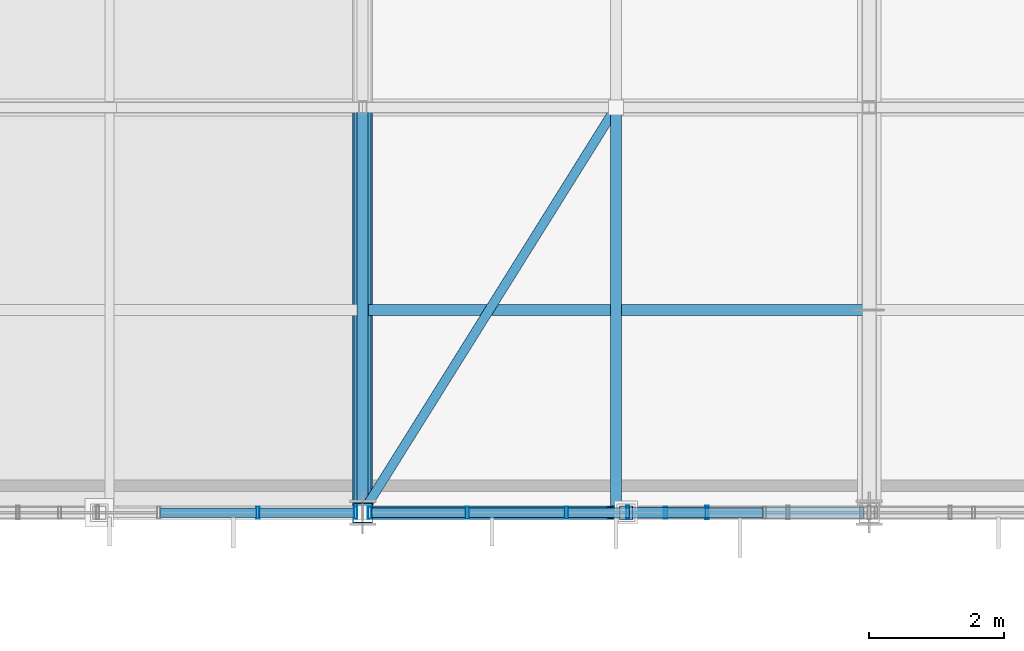
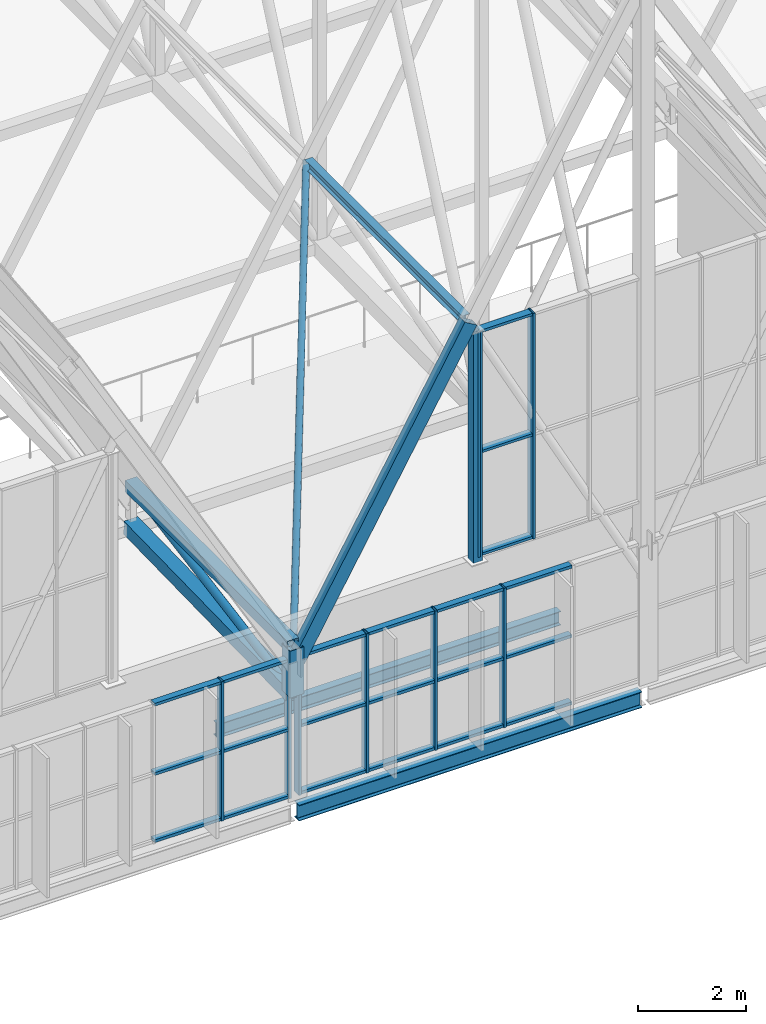
# One storey, part 131 of 324: 36 members, 3 beams, 3 elements without a shape of their own.
"""IFC4 building model written with IfcOpenShell, lengths in metres."""

from ifc_helpers import new_model, si_unit, direction, frame, origin, origin_2d, place, context, subcontext, project, spatial, hollow_rectangle, hollow_circle, i_section, extrude, material, layer, layer_set, material_profile, profile_set, type_object, element, aggregate, save


model = new_model("IFC4")

# Units and contexts
model_context = context("Model", 3, precision=1e-05, world=origin(), true_north=direction((0.0, 1.0)))
body_context = subcontext(model_context, "Body", "Model", "MODEL_VIEW")
ifc_project = project(units=[si_unit("LENGTHUNIT", "METRE"), si_unit("AREAUNIT", "SQUARE_METRE"), si_unit("VOLUMEUNIT", "CUBIC_METRE"), si_unit("PLANEANGLEUNIT", "RADIAN"), si_unit("MASSUNIT", "GRAM", prefix="KILO")], contexts=[model_context])

# Site, building, storey
site_placement = place(None, origin())
site = spatial("IfcSite", under=ifc_project, at=site_placement, CompositionType="ELEMENT")
building_placement = place(site_placement, origin())
building = spatial("IfcBuilding", under=site, at=building_placement, Name="Solvenia Promenade Tram Depot", CompositionType="ELEMENT")
storey_placement = place(building_placement, frame((0.0, 0.0, 4.5)))
storey = spatial("IfcBuildingStorey", under=building, at=storey_placement, Name="L01", CompositionType="ELEMENT", Elevation=4.5)

# Curtain wall, members
ifc_material_1 = material(Name="Anodized aluminium AW-6063 T6", Category="aluminium")
ifc_layer_1 = layer(ifc_material_1, 0.159912109375, Name="Anodized aluminium AW-6063 T6", Category="aluminium")
ifc_layer_set_1 = layer_set([ifc_layer_1], Name="Anodized aluminium AW-6063 T6")
curtain_wall_type_1 = type_object("IfcCurtainWallType", Name="CW-Channel-1500", PredefinedType="NOTDEFINED", material=ifc_layer_set_1)
curtain_wall_1_placement = place(storey_placement, origin())
curtain_wall_1 = element("IfcCurtainWall", 1, at=curtain_wall_1_placement, inside=storey, type_object=curtain_wall_type_1, Name="Curtain Wall CW-V1S1-06", PredefinedType="NOTDEFINED")
ifc_material_profile_1 = material_profile(ifc_material_1, hollow_rectangle(XDim=0.179931640625, YDim=0.050048828125, WallThickness=0.00390625, at=origin_2d()), Name="ALU-M2", Category="aluminium")
ifc_profile_set_1 = profile_set([ifc_material_profile_1], Name="Anodized aluminium AW-6063 T6")
member_type_1 = type_object("IfcMemberType", Name="CWM-Mullion-2", PredefinedType="MULLION", material=ifc_profile_set_1)
member_1_placement = place(storey_placement, frame((88.451904296875, 66.0, 0.0), z_axis=(0.0, 0.0, 1.0), x_axis=(0.0, 1.0, 0.0)))
member_1 = element("IfcMember", 2, at=member_1_placement, type_object=member_type_1, Name="CW-2 mullion 5", PredefinedType="MULLION", context=body_context, shape_type="SweptSolid", body=[
    extrude(hollow_rectangle(XDim=0.179931640625, YDim=0.050048828125, WallThickness=0.00390625, at=origin_2d()), origin(), (0.0, 0.0, 1.0), 3.14990234375),
])
member_2_placement = place(storey_placement, frame((89.89501953125, 66.0, 0.0), z_axis=(0.0, 0.0, 1.0), x_axis=(0.0, 1.0, 0.0)))
member_2 = element("IfcMember", 3, at=member_2_placement, type_object=member_type_1, Name="CW-2 mullion 6", PredefinedType="MULLION", context=body_context, shape_type="SweptSolid", body=[
    extrude(hollow_rectangle(XDim=0.179931640625, YDim=0.050048828125, WallThickness=0.00390625, at=origin_2d()), origin(), (0.0, 0.0, 1.0), 3.14990234375),
])

curtain_wall_2_placement = place(storey_placement, origin())
curtain_wall_2 = element("IfcCurtainWall", 4, at=curtain_wall_2_placement, inside=storey, type_object=curtain_wall_type_1, Name="Curtain Wall CW-V1S1-07", PredefinedType="NOTDEFINED")
member_3_placement = place(storey_placement, frame((90.10498046875, 66.0, 0.0), z_axis=(0.0, 0.0, 1.0), x_axis=(0.0, 1.0, 0.0)))
member_3 = element("IfcMember", 5, at=member_3_placement, type_object=member_type_1, Name="CW-2 mullion 1", PredefinedType="MULLION", context=body_context, shape_type="SweptSolid", body=[
    extrude(hollow_rectangle(XDim=0.179931640625, YDim=0.050048828125, WallThickness=0.00390625, at=origin_2d()), origin(), (0.0, 0.0, 1.0), 3.14990234375),
])
member_4_placement = place(storey_placement, frame((91.548095703125, 66.0, 0.0), z_axis=(0.0, 0.0, 1.0), x_axis=(0.0, 1.0, 0.0)))
member_4 = element("IfcMember", 6, at=member_4_placement, type_object=member_type_1, Name="CW-2 mullion 2", PredefinedType="MULLION", context=body_context, shape_type="SweptSolid", body=[
    extrude(hollow_rectangle(XDim=0.179931640625, YDim=0.050048828125, WallThickness=0.00390625, at=origin_2d()), origin(), (0.0, 0.0, 1.0), 3.14990234375),
])
member_5_placement = place(storey_placement, frame((93.01611328125, 66.0, 0.0), z_axis=(0.0, 0.0, 1.0), x_axis=(0.0, 1.0, 0.0)))
member_5 = element("IfcMember", 7, at=member_5_placement, type_object=member_type_1, Name="CW-2 mullion 3", PredefinedType="MULLION", context=body_context, shape_type="SweptSolid", body=[
    extrude(hollow_rectangle(XDim=0.179931640625, YDim=0.050048828125, WallThickness=0.00390625, at=origin_2d()), origin(), (0.0, 0.0, 1.0), 3.14990234375),
])
member_6_placement = place(storey_placement, frame((94.48388671875, 66.0, 0.0), z_axis=(0.0, 0.0, 1.0), x_axis=(0.0, 1.0, 0.0)))
member_6 = element("IfcMember", 8, at=member_6_placement, type_object=member_type_1, Name="CW-2 mullion 4", PredefinedType="MULLION", context=body_context, shape_type="SweptSolid", body=[
    extrude(hollow_rectangle(XDim=0.179931640625, YDim=0.050048828125, WallThickness=0.00390625, at=origin_2d()), origin(), (0.0, 0.0, 1.0), 3.14990234375),
])

ifc_layer_2 = layer(ifc_material_1, 0.14990234375, Name="Anodized aluminium AW-6063 T6", Category="aluminium")
ifc_layer_set_2 = layer_set([ifc_layer_2], Name="Anodized aluminium AW-6063 T6")
curtain_wall_type_2 = type_object("IfcCurtainWallType", Name="CW-Gable-1200", PredefinedType="NOTDEFINED", material=ifc_layer_set_2)
curtain_wall_3_placement = place(storey_placement, origin())
curtain_wall_3 = element("IfcCurtainWall", 9, at=curtain_wall_3_placement, inside=storey, type_object=curtain_wall_type_2, Name="South Zigzag Gable 07 Peak Glazing", PredefinedType="NOTDEFINED")
ifc_material_profile_2 = material_profile(ifc_material_1, hollow_rectangle(XDim=0.199951171875, YDim=0.048095703125, WallThickness=0.00390625, at=origin_2d()), Name="ALU-M3", Category="aluminium")
ifc_profile_set_2 = profile_set([ifc_material_profile_2], Name="Anodized aluminium AW-6063 T6")
member_type_2 = type_object("IfcMemberType", Name="CWM-Mullion-3", PredefinedType="MULLION", material=ifc_profile_set_2)
member_7_placement = place(storey_placement, frame((93.924072265625, 66.0, 4.050048828125), z_axis=(0.0, 0.0, 1.0), x_axis=(0.0, 1.0, 0.0)))
member_7 = element("IfcMember", 10, at=member_7_placement, type_object=member_type_2, Name="CW-3 mullion 1", PredefinedType="MULLION", context=body_context, shape_type="SweptSolid", body=[
    extrude(hollow_rectangle(XDim=0.199951171875, YDim=0.048095703125, WallThickness=0.00390625, at=origin_2d()), origin(), (0.0, 0.0, 1.0), 5.099853515625),
])
member_8_placement = place(storey_placement, frame((95.10009765625, 66.0, 4.050048828125), z_axis=(0.0, 0.0, 1.0), x_axis=(0.0, 1.0, 0.0)))
member_8 = element("IfcMember", 11, at=member_8_placement, type_object=member_type_2, Name="CW-3 mullion 2", PredefinedType="MULLION", context=body_context, shape_type="SweptSolid", body=[
    extrude(hollow_rectangle(XDim=0.199951171875, YDim=0.048095703125, WallThickness=0.00390625, at=origin_2d()), origin(), (0.0, 0.0, 1.0), 5.099853515625),
])

# Member
ifc_material_profile_3 = material_profile(ifc_material_1, hollow_rectangle(XDim=0.139892578125, YDim=0.06494140625, WallThickness=0.00390625, at=origin_2d()), Name="ALU-T2", Category="aluminium")
ifc_profile_set_3 = profile_set([ifc_material_profile_3], Name="Anodized aluminium AW-6063 T6")
member_type_3 = type_object("IfcMemberType", Name="CWT-Transom-2", PredefinedType="USERDEFINED", material=ifc_profile_set_3)
member_9_placement = place(storey_placement, frame((87.009033203125, 66.0, 0.032470703125), z_axis=(1.0, 0.0, 0.0), x_axis=(0.0, 1.0, 0.0)))
member_9 = element("IfcMember", 12, at=member_9_placement, type_object=member_type_3, Name="CW-2 transom 4.1", ObjectType="TRANSOM", PredefinedType="USERDEFINED", context=body_context, shape_type="SweptSolid", body=[
    extrude(hollow_rectangle(XDim=0.139892578125, YDim=0.06494140625, WallThickness=0.00390625, at=origin_2d()), origin(), (0.0, 0.0, 1.0), 1.41796875),
])

member_10_placement = place(storey_placement, frame((87.009033203125, 66.0, 1.550048828125), z_axis=(1.0, 0.0, 0.0), x_axis=(0.0, 1.0, 0.0)))
member_10 = element("IfcMember", 13, at=member_10_placement, type_object=member_type_3, Name="CW-2 transom 4.2", ObjectType="TRANSOM", PredefinedType="USERDEFINED", context=body_context, shape_type="SweptSolid", body=[
    extrude(hollow_rectangle(XDim=0.139892578125, YDim=0.06494140625, WallThickness=0.00390625, at=origin_2d()), origin(), (0.0, 0.0, 1.0), 1.41796875),
])

member_11_placement = place(storey_placement, frame((87.009033203125, 66.0, 3.117431640625), z_axis=(1.0, 0.0, 0.0), x_axis=(0.0, 1.0, 0.0)))
member_11 = element("IfcMember", 14, at=member_11_placement, type_object=member_type_3, Name="CW-2 transom 4.3", ObjectType="TRANSOM", PredefinedType="USERDEFINED", context=body_context, shape_type="SweptSolid", body=[
    extrude(hollow_rectangle(XDim=0.139892578125, YDim=0.06494140625, WallThickness=0.00390625, at=origin_2d()), origin(), (0.0, 0.0, 1.0), 1.41796875),
])

member_12_placement = place(storey_placement, frame((88.47705078125, 66.0, 0.032470703125), z_axis=(1.0, 0.0, 0.0), x_axis=(0.0, 1.0, 0.0)))
member_12 = element("IfcMember", 15, at=member_12_placement, type_object=member_type_3, Name="CW-2 transom 5.1", ObjectType="TRANSOM", PredefinedType="USERDEFINED", context=body_context, shape_type="SweptSolid", body=[
    extrude(hollow_rectangle(XDim=0.139892578125, YDim=0.06494140625, WallThickness=0.00390625, at=origin_2d()), origin(), (0.0, 0.0, 1.0), 1.39306640625),
])

member_13_placement = place(storey_placement, frame((88.47705078125, 66.0, 1.550048828125), z_axis=(1.0, 0.0, 0.0), x_axis=(0.0, 1.0, 0.0)))
member_13 = element("IfcMember", 16, at=member_13_placement, type_object=member_type_3, Name="CW-2 transom 5.2", ObjectType="TRANSOM", PredefinedType="USERDEFINED", context=body_context, shape_type="SweptSolid", body=[
    extrude(hollow_rectangle(XDim=0.139892578125, YDim=0.06494140625, WallThickness=0.00390625, at=origin_2d()), origin(), (0.0, 0.0, 1.0), 1.39306640625),
])

member_14_placement = place(storey_placement, frame((88.47705078125, 66.0, 3.117431640625), z_axis=(1.0, 0.0, 0.0), x_axis=(0.0, 1.0, 0.0)))
member_14 = element("IfcMember", 17, at=member_14_placement, type_object=member_type_3, Name="CW-2 transom 5.3", ObjectType="TRANSOM", PredefinedType="USERDEFINED", context=body_context, shape_type="SweptSolid", body=[
    extrude(hollow_rectangle(XDim=0.139892578125, YDim=0.06494140625, WallThickness=0.00390625, at=origin_2d()), origin(), (0.0, 0.0, 1.0), 1.39306640625),
])

aggregate(curtain_wall_1, [member_1, member_2, member_9, member_10, member_11, member_12, member_13, member_14])

member_15_placement = place(storey_placement, frame((90.1298828125, 66.0, 0.032470703125), z_axis=(1.0, 0.0, 0.0), x_axis=(0.0, 1.0, 0.0)))
member_15 = element("IfcMember", 18, at=member_15_placement, type_object=member_type_3, Name="CW-2 transom 1.1", ObjectType="TRANSOM", PredefinedType="USERDEFINED", context=body_context, shape_type="SweptSolid", body=[
    extrude(hollow_rectangle(XDim=0.139892578125, YDim=0.06494140625, WallThickness=0.00390625, at=origin_2d()), origin(), (0.0, 0.0, 1.0), 1.39306640625),
])

member_16_placement = place(storey_placement, frame((90.1298828125, 66.0, 1.550048828125), z_axis=(1.0, 0.0, 0.0), x_axis=(0.0, 1.0, 0.0)))
member_16 = element("IfcMember", 19, at=member_16_placement, type_object=member_type_3, Name="CW-2 transom 1.2", ObjectType="TRANSOM", PredefinedType="USERDEFINED", context=body_context, shape_type="SweptSolid", body=[
    extrude(hollow_rectangle(XDim=0.139892578125, YDim=0.06494140625, WallThickness=0.00390625, at=origin_2d()), origin(), (0.0, 0.0, 1.0), 1.39306640625),
])

member_17_placement = place(storey_placement, frame((90.1298828125, 66.0, 3.117431640625), z_axis=(1.0, 0.0, 0.0), x_axis=(0.0, 1.0, 0.0)))
member_17 = element("IfcMember", 20, at=member_17_placement, type_object=member_type_3, Name="CW-2 transom 1.3", ObjectType="TRANSOM", PredefinedType="USERDEFINED", context=body_context, shape_type="SweptSolid", body=[
    extrude(hollow_rectangle(XDim=0.139892578125, YDim=0.06494140625, WallThickness=0.00390625, at=origin_2d()), origin(), (0.0, 0.0, 1.0), 1.39306640625),
])

member_18_placement = place(storey_placement, frame((91.572998046875, 66.0, 0.032470703125), z_axis=(1.0, 0.0, 0.0), x_axis=(0.0, 1.0, 0.0)))
member_18 = element("IfcMember", 21, at=member_18_placement, type_object=member_type_3, Name="CW-2 transom 2.1", ObjectType="TRANSOM", PredefinedType="USERDEFINED", context=body_context, shape_type="SweptSolid", body=[
    extrude(hollow_rectangle(XDim=0.139892578125, YDim=0.06494140625, WallThickness=0.00390625, at=origin_2d()), origin(), (0.0, 0.0, 1.0), 1.41796875),
])

member_19_placement = place(storey_placement, frame((91.572998046875, 66.0, 1.550048828125), z_axis=(1.0, 0.0, 0.0), x_axis=(0.0, 1.0, 0.0)))
member_19 = element("IfcMember", 22, at=member_19_placement, type_object=member_type_3, Name="CW-2 transom 2.2", ObjectType="TRANSOM", PredefinedType="USERDEFINED", context=body_context, shape_type="SweptSolid", body=[
    extrude(hollow_rectangle(XDim=0.139892578125, YDim=0.06494140625, WallThickness=0.00390625, at=origin_2d()), origin(), (0.0, 0.0, 1.0), 1.41796875),
])

member_20_placement = place(storey_placement, frame((91.572998046875, 66.0, 3.117431640625), z_axis=(1.0, 0.0, 0.0), x_axis=(0.0, 1.0, 0.0)))
member_20 = element("IfcMember", 23, at=member_20_placement, type_object=member_type_3, Name="CW-2 transom 2.3", ObjectType="TRANSOM", PredefinedType="USERDEFINED", context=body_context, shape_type="SweptSolid", body=[
    extrude(hollow_rectangle(XDim=0.139892578125, YDim=0.06494140625, WallThickness=0.00390625, at=origin_2d()), origin(), (0.0, 0.0, 1.0), 1.41796875),
])

member_21_placement = place(storey_placement, frame((93.041015625, 66.0, 0.032470703125), z_axis=(1.0, 0.0, 0.0), x_axis=(0.0, 1.0, 0.0)))
member_21 = element("IfcMember", 24, at=member_21_placement, type_object=member_type_3, Name="CW-2 transom 3.1", ObjectType="TRANSOM", PredefinedType="USERDEFINED", context=body_context, shape_type="SweptSolid", body=[
    extrude(hollow_rectangle(XDim=0.139892578125, YDim=0.06494140625, WallThickness=0.00390625, at=origin_2d()), origin(), (0.0, 0.0, 1.0), 1.41796875),
])

member_22_placement = place(storey_placement, frame((93.041015625, 66.0, 1.550048828125), z_axis=(1.0, 0.0, 0.0), x_axis=(0.0, 1.0, 0.0)))
member_22 = element("IfcMember", 25, at=member_22_placement, type_object=member_type_3, Name="CW-2 transom 3.2", ObjectType="TRANSOM", PredefinedType="USERDEFINED", context=body_context, shape_type="SweptSolid", body=[
    extrude(hollow_rectangle(XDim=0.139892578125, YDim=0.06494140625, WallThickness=0.00390625, at=origin_2d()), origin(), (0.0, 0.0, 1.0), 1.41796875),
])

member_23_placement = place(storey_placement, frame((93.041015625, 66.0, 3.117431640625), z_axis=(1.0, 0.0, 0.0), x_axis=(0.0, 1.0, 0.0)))
member_23 = element("IfcMember", 26, at=member_23_placement, type_object=member_type_3, Name="CW-2 transom 3.3", ObjectType="TRANSOM", PredefinedType="USERDEFINED", context=body_context, shape_type="SweptSolid", body=[
    extrude(hollow_rectangle(XDim=0.139892578125, YDim=0.06494140625, WallThickness=0.00390625, at=origin_2d()), origin(), (0.0, 0.0, 1.0), 1.41796875),
])

member_24_placement = place(storey_placement, frame((94.509033203125, 66.0, 0.032470703125), z_axis=(1.0, 0.0, 0.0), x_axis=(0.0, 1.0, 0.0)))
member_24 = element("IfcMember", 27, at=member_24_placement, type_object=member_type_3, Name="CW-2 transom 4.1", ObjectType="TRANSOM", PredefinedType="USERDEFINED", context=body_context, shape_type="SweptSolid", body=[
    extrude(hollow_rectangle(XDim=0.139892578125, YDim=0.06494140625, WallThickness=0.00390625, at=origin_2d()), origin(), (0.0, 0.0, 1.0), 1.41796875),
])

member_25_placement = place(storey_placement, frame((94.509033203125, 66.0, 1.550048828125), z_axis=(1.0, 0.0, 0.0), x_axis=(0.0, 1.0, 0.0)))
member_25 = element("IfcMember", 28, at=member_25_placement, type_object=member_type_3, Name="CW-2 transom 4.2", ObjectType="TRANSOM", PredefinedType="USERDEFINED", context=body_context, shape_type="SweptSolid", body=[
    extrude(hollow_rectangle(XDim=0.139892578125, YDim=0.06494140625, WallThickness=0.00390625, at=origin_2d()), origin(), (0.0, 0.0, 1.0), 1.41796875),
])

member_26_placement = place(storey_placement, frame((94.509033203125, 66.0, 3.117431640625), z_axis=(1.0, 0.0, 0.0), x_axis=(0.0, 1.0, 0.0)))
member_26 = element("IfcMember", 29, at=member_26_placement, type_object=member_type_3, Name="CW-2 transom 4.3", ObjectType="TRANSOM", PredefinedType="USERDEFINED", context=body_context, shape_type="SweptSolid", body=[
    extrude(hollow_rectangle(XDim=0.139892578125, YDim=0.06494140625, WallThickness=0.00390625, at=origin_2d()), origin(), (0.0, 0.0, 1.0), 1.41796875),
])

aggregate(curtain_wall_2, [member_3, member_4, member_5, member_6, member_15, member_16, member_17, member_18, member_19, member_20, member_21, member_22, member_23, member_24, member_25, member_26])

ifc_material_profile_4 = material_profile(ifc_material_1, hollow_rectangle(XDim=0.159912109375, YDim=0.05810546875, WallThickness=0.00390625, at=origin_2d()), Name="ALU-T3", Category="aluminium")
ifc_profile_set_4 = profile_set([ifc_material_profile_4], Name="Anodized aluminium AW-6063 T6")
member_type_4 = type_object("IfcMemberType", Name="CWT-Transom-3", PredefinedType="USERDEFINED", material=ifc_profile_set_4)
member_27_placement = place(storey_placement, frame((93.947998046875, 66.0, 4.0791015625), z_axis=(1.0, 0.0, 0.0), x_axis=(0.0, 1.0, 0.0)))
member_27 = element("IfcMember", 30, at=member_27_placement, type_object=member_type_4, Name="CW-3 transom 1.1", ObjectType="TRANSOM", PredefinedType="USERDEFINED", context=body_context, shape_type="SweptSolid", body=[
    extrude(hollow_rectangle(XDim=0.159912109375, YDim=0.05810546875, WallThickness=0.00390625, at=origin_2d()), origin(), (0.0, 0.0, 1.0), 1.1279296875),
])

member_28_placement = place(storey_placement, frame((93.947998046875, 66.0, 6.39990234375), z_axis=(1.0, 0.0, 0.0), x_axis=(0.0, 1.0, 0.0)))
member_28 = element("IfcMember", 31, at=member_28_placement, type_object=member_type_4, Name="CW-3 transom 1.2", ObjectType="TRANSOM", PredefinedType="USERDEFINED", context=body_context, shape_type="SweptSolid", body=[
    extrude(hollow_rectangle(XDim=0.159912109375, YDim=0.05810546875, WallThickness=0.00390625, at=origin_2d()), origin(), (0.0, 0.0, 1.0), 1.1279296875),
])

member_29_placement = place(storey_placement, frame((93.947998046875, 66.0, 9.12109375), z_axis=(1.0, 0.0, 0.0), x_axis=(0.0, 1.0, 0.0)))
member_29 = element("IfcMember", 32, at=member_29_placement, type_object=member_type_4, Name="CW-3 transom 1.3", ObjectType="TRANSOM", PredefinedType="USERDEFINED", context=body_context, shape_type="SweptSolid", body=[
    extrude(hollow_rectangle(XDim=0.159912109375, YDim=0.05810546875, WallThickness=0.00390625, at=origin_2d()), origin(), (0.0, 0.0, 1.0), 1.1279296875),
])

aggregate(curtain_wall_3, [member_7, member_8, member_27, member_28, member_29])

# Members
ifc_material_2 = material(Name="Structural steel ASTM A500 Gr. C", Category="steel")
ifc_material_profile_5 = material_profile(ifc_material_2, hollow_rectangle(XDim=0.25, YDim=0.25, WallThickness=0.010009765625, at=origin_2d()), Name="HSS250x250x10", Category="steel")
ifc_profile_set_5 = profile_set([ifc_material_profile_5], Name="Structural steel ASTM A500 Gr. C")
member_type_5 = type_object("IfcMemberType", Name="Chord-HSS250x250x10", PredefinedType="CHORD", material=ifc_profile_set_5)
member_30_placement = place(storey_placement, frame((90.0, 66.0, 3.3798828125), z_axis=(0.0, 1.0, 0.0), x_axis=(-1.0, 0.0, 0.0)))
element("IfcMember", 33, at=member_30_placement, inside=storey, type_object=member_type_5, Name="Arched Truss T13 Upper Chord S01", PredefinedType="CHORD", context=body_context, shape_type="SweptSolid", body=[
    extrude(hollow_rectangle(XDim=0.25, YDim=0.25, WallThickness=0.010009765625, at=origin_2d()), origin(), (0.0, 0.0, 1.0), 6.0),
])
ifc_material_profile_6 = material_profile(ifc_material_2, hollow_rectangle(XDim=0.199951171875, YDim=0.300048828125, WallThickness=0.012451171875, at=origin_2d()), Name="HSS300x200x12.5", Category="steel")
ifc_profile_set_6 = profile_set([ifc_material_profile_6], Name="Structural steel ASTM A500 Gr. C")
member_type_6 = type_object("IfcMemberType", Name="Chord-HSS300x200x12", PredefinedType="CHORD", material=ifc_profile_set_6)
member_31_placement = place(storey_placement, frame((90.0, 66.0, 2.921142578125), z_axis=(0.501516268578, 0.0, 0.865148214095), x_axis=(0.0, 1.0, 0.0)))
element("IfcMember", 34, at=member_31_placement, inside=storey, type_object=member_type_6, Name="Zigzag Gable 07 West Lower Rafter", PredefinedType="CHORD", context=body_context, shape_type="SweptSolid", body=[
    extrude(hollow_rectangle(XDim=0.199951171875, YDim=0.300048828125, WallThickness=0.012451171875, at=origin_2d()), origin(), (0.0, 0.0, 1.0), 7.477294921875),
])
ifc_material_profile_7 = material_profile(ifc_material_2, hollow_rectangle(XDim=0.300048828125, YDim=0.300048828125, WallThickness=0.012451171875, at=origin_2d()), Name="HSS300x300x12.5", Category="steel")
ifc_profile_set_7 = profile_set([ifc_material_profile_7], Name="Structural steel ASTM A500 Gr. C")
member_type_7 = type_object("IfcMemberType", Name="Chord-HSS300x300x12", PredefinedType="CHORD", material=ifc_profile_set_7)
member_32_placement = place(storey_placement, frame((90.0, 66.0, 2.320068359375), z_axis=(0.0, 0.0, 1.0), x_axis=(1.0, 0.0, 0.0)))
element("IfcMember", 35, at=member_32_placement, inside=storey, type_object=member_type_7, Name="Arched Truss T13 S End Post", PredefinedType="CHORD", context=body_context, shape_type="SweptSolid", body=[
    extrude(hollow_rectangle(XDim=0.300048828125, YDim=0.300048828125, WallThickness=0.012451171875, at=origin_2d()), origin(), (0.0, 0.0, 1.0), 1.059814453125),
])
member_33_placement = place(storey_placement, frame((90.0, 66.0, 2.320068359375), z_axis=(0.0, 0.999779654873, 0.020991467363), x_axis=(-1.0, 0.0, 0.0)))
element("IfcMember", 36, at=member_33_placement, inside=storey, type_object=member_type_7, Name="Arched Truss T13 Bottom Chord S01", PredefinedType="CHORD", context=body_context, shape_type="SweptSolid", body=[
    extrude(hollow_rectangle(XDim=0.300048828125, YDim=0.300048828125, WallThickness=0.012451171875, at=origin_2d()), origin(), (0.0, 0.0, 1.0), 6.001220703125),
])

# Beam
ifc_material_3 = material(Name="Structural steel ASTM A992 Gr. 50", Category="steel")
ifc_material_profile_8 = material_profile(ifc_material_3, i_section(OverallWidth=0.166015625, OverallDepth=0.31298828125, WebThickness=0.006591796875, FlangeThickness=0.01123046875, FilletRadius=0.010009765625, at=origin_2d()), Name="W310x45", Category="steel")
ifc_profile_set_8 = profile_set([ifc_material_profile_8], Name="Structural steel ASTM A992 Gr. 50")
beam_type_1 = type_object("IfcBeamType", Name="Joist-W310x45", PredefinedType="JOIST", material=ifc_profile_set_8)
beam_1_placement = place(storey_placement, frame((90.0849609375, 69.0, -0.37646484375), z_axis=(1.0, 0.0, 0.0), x_axis=(0.0, 1.0, 0.0)))
element("IfcBeam", 37, at=beam_1_placement, inside=storey, type_object=beam_type_1, Name="Secondary Floor Joist BM-L01-0097", PredefinedType="JOIST", context=body_context, shape_type="SweptSolid", body=[
    extrude(i_section(OverallWidth=0.166015625, OverallDepth=0.31298828125, WebThickness=0.006591796875, FlangeThickness=0.01123046875, FilletRadius=0.010009765625, at=origin_2d()), origin(), (0.0, 0.0, 1.0), 7.330078125),
])

# Member
ifc_material_profile_9 = material_profile(ifc_material_2, hollow_rectangle(XDim=0.199951171875, YDim=0.199951171875, WallThickness=0.010009765625, at=origin_2d()), Name="HSS200x200x10", Category="steel")
ifc_profile_set_9 = profile_set([ifc_material_profile_9], Name="Structural steel ASTM A500 Gr. C")
member_type_8 = type_object("IfcMemberType", Name="Post-HSS200x200x10", PredefinedType="POST", material=ifc_profile_set_9)
member_34_placement = place(storey_placement, frame((93.89990234375, 66.0, 3.949951171875), z_axis=(0.0, 0.0, 1.0), x_axis=(1.0, 0.0, 0.0)))
element("IfcMember", 38, at=member_34_placement, inside=storey, type_object=member_type_8, Name="Gable Curtain-Wall Steel Jamb Post 027", PredefinedType="POST", context=body_context, shape_type="SweptSolid", body=[
    extrude(hollow_rectangle(XDim=0.199951171875, YDim=0.199951171875, WallThickness=0.010009765625, at=origin_2d()), origin(), (0.0, 0.0, 1.0), 5.199951171875),
])

# Beam
ifc_material_profile_10 = material_profile(ifc_material_3, i_section(OverallWidth=0.1650390625, OverallDepth=0.200927734375, WebThickness=0.006103515625, FlangeThickness=0.01025390625, FilletRadius=0.010009765625, at=origin_2d()), Name="W200x36", Category="steel")
ifc_profile_set_10 = profile_set([ifc_material_profile_10], Name="Structural steel ASTM A992 Gr. 50")
beam_type_2 = type_object("IfcBeamType", Name="Purlin-W200x36", PredefinedType="USERDEFINED", material=ifc_profile_set_10)
beam_2_placement = place(storey_placement, frame((93.75, 66.0849609375, 9.375732421875), z_axis=(0.0, 1.0, 0.0), x_axis=(-1.0, 0.0, 0.0)))
element("IfcBeam", 39, at=beam_2_placement, inside=storey, type_object=beam_type_2, Name="Gable Roof Purlin W-0121", ObjectType="PURLIN", PredefinedType="USERDEFINED", context=body_context, shape_type="SweptSolid", body=[
    extrude(i_section(OverallWidth=0.1650390625, OverallDepth=0.200927734375, WebThickness=0.006103515625, FlangeThickness=0.01025390625, FilletRadius=0.010009765625, at=origin_2d()), origin(), (0.0, 0.0, 1.0), 5.830078125),
])

# Member
ifc_material_profile_11 = material_profile(ifc_material_2, hollow_circle(Radius=0.06982421875, WallThickness=0.00634765625, at=origin_2d()), Name="CHS139.7x6.3", Category="steel")
ifc_profile_set_11 = profile_set([ifc_material_profile_11], Name="Structural steel ASTM A500 Gr. C")
member_type_9 = type_object("IfcMemberType", Name="RoofBrace-CHS140x6", PredefinedType="BRACE", material=ifc_profile_set_11)
member_35_placement = place(storey_placement, frame((90.0, 66.0, 2.921142578125), z_axis=(0.391155079769, 0.625848127631, 0.674767978428), x_axis=(-0.847998304005, 0.529998940003, 0.0)))
element("IfcMember", 40, at=member_35_placement, inside=storey, type_object=member_type_9, Name="Roof Plan Wind Brace 013", PredefinedType="BRACE", context=body_context, shape_type="SweptSolid", body=[
    extrude(hollow_circle(Radius=0.06982421875, WallThickness=0.00634765625, at=origin_2d()), origin(), (0.0, 0.0, 1.0), 9.5869140625),
])

# Beam
ifc_material_profile_12 = material_profile(ifc_material_3, i_section(OverallWidth=0.172119140625, OverallDepth=0.35791015625, WebThickness=0.0078125, FlangeThickness=0.01318359375, FilletRadius=0.010986328125, at=origin_2d()), Name="W360x57", Category="steel")
ifc_profile_set_12 = profile_set([ifc_material_profile_12], Name="Structural steel ASTM A992 Gr. 50")
beam_type_3 = type_object("IfcBeamType", Name="Spandrel-W360x57", PredefinedType="SPANDREL", material=ifc_profile_set_12)
beam_3_placement = place(storey_placement, frame((90.0849609375, 66.0, -0.39892578125), z_axis=(1.0, 0.0, 0.0), x_axis=(0.0, 1.0, 0.0)))
element("IfcBeam", 41, at=beam_3_placement, inside=storey, type_object=beam_type_3, Name="Perimeter Spandrel BM-L01-0013", PredefinedType="SPANDREL", context=body_context, shape_type="SweptSolid", body=[
    extrude(i_section(OverallWidth=0.172119140625, OverallDepth=0.35791015625, WebThickness=0.0078125, FlangeThickness=0.01318359375, FilletRadius=0.010986328125, at=origin_2d()), origin(), (0.0, 0.0, 1.0), 7.330078125),
])

# Member
ifc_material_profile_13 = material_profile(ifc_material_2, hollow_circle(Radius=0.084228515625, WallThickness=0.008056640625, at=origin_2d()), Name="CHS168.3x8", Category="steel")
ifc_profile_set_13 = profile_set([ifc_material_profile_13], Name="Structural steel ASTM A500 Gr. C")
member_type_10 = type_object("IfcMemberType", Name="WebDiag-CHS168x8", PredefinedType="BRACE", material=ifc_profile_set_13)
member_36_placement = place(storey_placement, frame((90.0, 66.0, 2.320068359375), z_axis=(0.0, 0.984755712458, 0.173943056143), x_axis=(-1.0, 0.0, 0.0)))
element("IfcMember", 42, at=member_36_placement, inside=storey, type_object=member_type_10, Name="Arched Truss T13 Web Diagonal S01", PredefinedType="BRACE", context=body_context, shape_type="SweptSolid", body=[
    extrude(hollow_circle(Radius=0.084228515625, WallThickness=0.008056640625, at=origin_2d()), origin(), (0.0, 0.0, 1.0), 6.0927734375),
])

save(model, "model.ifc")
